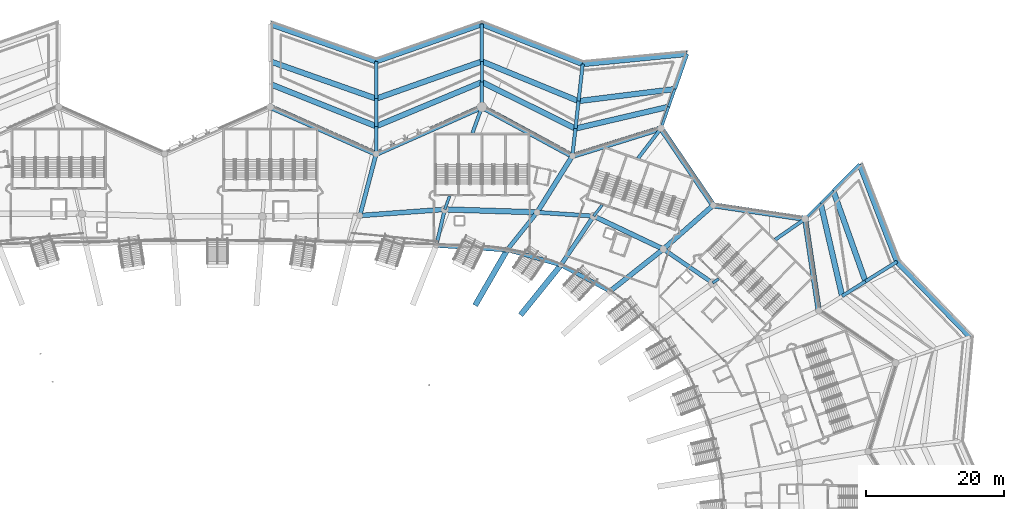
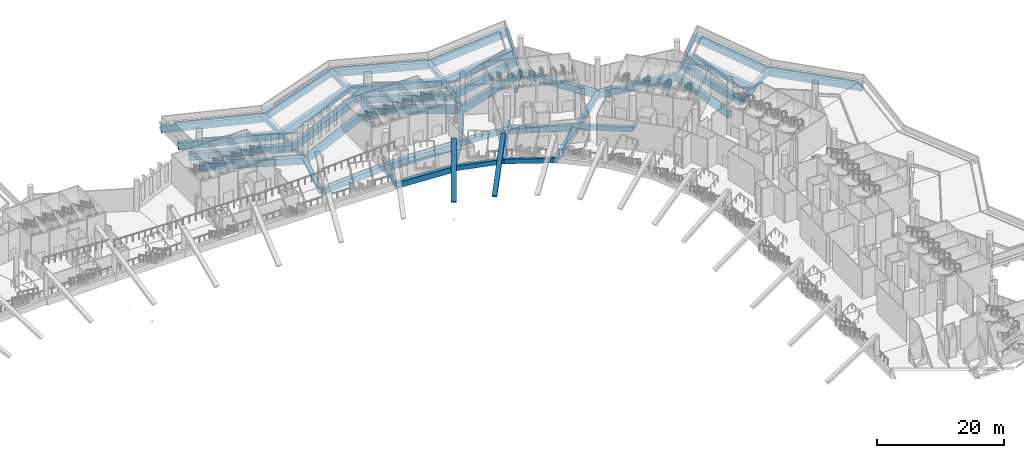
# One storey, part 20 of 173: 63 beams.
"""IFC4 building model written with IfcOpenShell, lengths in metres."""

from ifc_helpers import new_model, si_unit, direction, frame, origin, origin_2d, place, context, subcontext, project, spatial, rectangle, extrude, material, material_profile, profile_set, type_object, element, save


model = new_model("IFC4")

# Units and contexts
model_context = context("Model", 3, precision=1e-05, world=origin(), true_north=direction((0.0, 1.0)))
body_context = subcontext(model_context, "Body", "Model", "MODEL_VIEW")
ifc_project = project(units=[si_unit("LENGTHUNIT", "METRE"), si_unit("AREAUNIT", "SQUARE_METRE"), si_unit("VOLUMEUNIT", "CUBIC_METRE"), si_unit("PLANEANGLEUNIT", "RADIAN"), si_unit("MASSUNIT", "GRAM", prefix="KILO")], contexts=[model_context])

# Site, building, storey
site_placement = place(None, origin())
site = spatial("IfcSite", under=ifc_project, at=site_placement, CompositionType="ELEMENT")
building_placement = place(site_placement, origin())
building = spatial("IfcBuilding", under=site, at=building_placement, Name="Meseta Stadium", CompositionType="ELEMENT")
storey_placement = place(building_placement, frame((0.0, 0.0, 18.0)))
storey = spatial("IfcBuildingStorey", under=building, at=storey_placement, Name="L03", CompositionType="ELEMENT", Elevation=18.0)

# Beams
ifc_material_1 = material(Name="Concrete C40/50", Category="concrete")
ifc_material_profile_1 = material_profile(ifc_material_1, rectangle(XDim=0.39990234375, YDim=0.60009765625, at=origin_2d()), Name="RC 400x600")
ifc_profile_set_1 = profile_set([ifc_material_profile_1], Name="Concrete C40/50")
beam_type_1 = type_object("IfcBeamType", Name="RC beam 400x600", PredefinedType="BEAM", material=ifc_profile_set_1)
beam_1_placement = place(storey_placement, frame((71.775390625, 79.888916015625, -0.64990234375), z_axis=(0.821959126475, 0.569546481337, 0.0), x_axis=(-0.569546481337, 0.821959126475, 0.0)))
element("IfcBeam", 1, at=beam_1_placement, inside=storey, type_object=beam_type_1, Name="L03 radial beam frame 12 line P to R", PredefinedType="BEAM", context=body_context, shape_type="SweptSolid", body=[
    extrude(rectangle(XDim=0.39990234375, YDim=0.60009765625, at=origin_2d()), origin(), (0.0, 0.0, 1.0), 1.05615234375),
])
beam_2_placement = place(storey_placement, frame((54.523193359375, 89.579345703125, -0.64990234375), z_axis=(0.60958282029, 0.792722388486, 0.0), x_axis=(-0.792722388486, 0.60958282029, 0.0)))
element("IfcBeam", 2, at=beam_2_placement, inside=storey, type_object=beam_type_1, Name="L03 radial beam frame 14 line P to R", PredefinedType="BEAM", context=body_context, shape_type="SweptSolid", body=[
    extrude(rectangle(XDim=0.39990234375, YDim=0.60009765625, at=origin_2d()), origin(), (0.0, 0.0, 1.0), 2.029052734375),
])
beam_3_placement = place(storey_placement, frame((32.944091796875, 90.551025390625, -0.64990234375), z_axis=(0.341128443291, 0.940016694095, 0.0), x_axis=(-0.940016694095, 0.341128443291, 0.0)))
element("IfcBeam", 3, at=beam_3_placement, inside=storey, type_object=beam_type_1, Name="L03 radial beam frame 16 line P to R", PredefinedType="BEAM", context=body_context, shape_type="SweptSolid", body=[
    extrude(rectangle(XDim=0.39990234375, YDim=0.60009765625, at=origin_2d()), origin(), (0.0, 0.0, 1.0), 2.0732421875),
])
beam_4_placement = place(storey_placement, frame((85.173583984375, 89.173583984375, -0.699951171875), z_axis=(0.707106781187, 0.707106781187, 0.0), x_axis=(-0.707106781187, 0.707106781187, 0.0)))
element("IfcBeam", 4, at=beam_4_placement, inside=storey, type_object=beam_type_1, Name="L03 radial beam frame 12 line R to M", PredefinedType="BEAM", context=body_context, shape_type="SweptSolid", body=[
    extrude(rectangle(XDim=0.39990234375, YDim=0.60009765625, at=origin_2d()), origin(), (0.0, 0.0, 1.0), 3.18603515625),
])
beam_5_placement = place(storey_placement, frame((87.426513671875, 91.426513671875, -0.699951171875), z_axis=(0.707106781187, 0.707106781187, 0.0), x_axis=(-0.707106781187, 0.707106781187, 0.0)))
element("IfcBeam", 5, at=beam_5_placement, inside=storey, type_object=beam_type_1, Name="L03 radial beam frame 12 line M to Q", PredefinedType="BEAM", context=body_context, shape_type="SweptSolid", body=[
    extrude(rectangle(XDim=0.39990234375, YDim=0.60009765625, at=origin_2d()), origin(), (0.0, 0.0, 1.0), 2.585693359375),
])
beam_6_placement = place(storey_placement, frame((64.297607421875, 102.291015625, -0.699951171875), z_axis=(0.330229180525, 0.943900783096, 0.0), x_axis=(-0.943900783096, 0.330229180525, 0.0)))
element("IfcBeam", 6, at=beam_6_placement, inside=storey, type_object=beam_type_1, Name="L03 radial beam frame 14 line R to M", PredefinedType="BEAM", context=body_context, shape_type="SweptSolid", body=[
    extrude(rectangle(XDim=0.39990234375, YDim=0.60009765625, at=origin_2d()), origin(), (0.0, 0.0, 1.0), 3.31884765625),
])
beam_7_placement = place(storey_placement, frame((65.3935546875, 105.423583984375, -0.699951171875), z_axis=(0.33025443173, 0.943891948436, 0.0), x_axis=(-0.943891948436, 0.33025443173, 0.0)))
element("IfcBeam", 7, at=beam_7_placement, inside=storey, type_object=beam_type_1, Name="L03 radial beam frame 14 line M to Q", PredefinedType="BEAM", context=body_context, shape_type="SweptSolid", body=[
    extrude(rectangle(XDim=0.39990234375, YDim=0.60009765625, at=origin_2d()), origin(), (0.0, 0.0, 1.0), 2.718994140625),
])
beam_8_placement = place(storey_placement, frame((38.333251953125, 109.0, -0.699951171875), z_axis=(0.0, 1.0, 0.0), x_axis=(-1.0, 0.0, 0.0)))
element("IfcBeam", 8, at=beam_8_placement, inside=storey, type_object=beam_type_1, Name="L03 radial beam frame 16 line M to Q", PredefinedType="BEAM", context=body_context, shape_type="SweptSolid", body=[
    extrude(rectangle(XDim=0.39990234375, YDim=0.60009765625, at=origin_2d()), origin(), (0.0, 0.0, 1.0), 3.0),
])
ifc_material_2 = material(Name="Concrete C40/50", Category="concrete")
ifc_material_profile_2 = material_profile(ifc_material_2, rectangle(XDim=0.5, YDim=0.75, at=origin_2d()), Name="RC 500x750")
ifc_profile_set_2 = profile_set([ifc_material_profile_2], Name="Concrete C40/50")
beam_type_2 = type_object("IfcBeamType", Name="RC beam 500x750", PredefinedType="BEAM", material=ifc_profile_set_2)
beam_9_placement = place(storey_placement, frame((80.830078125, 86.16357421875, -0.72509765625), z_axis=(0.821929323184, 0.569589490503, 0.0), x_axis=(-0.569589490503, 0.821929323184, 0.0)))
element("IfcBeam", 9, at=beam_9_placement, inside=storey, type_object=beam_type_2, Name="L03 radial beam frame 12 line P to R", PredefinedType="BEAM", context=body_context, shape_type="SweptSolid", body=[
    extrude(rectangle(XDim=0.5, YDim=0.75, at=origin_2d()), origin(), (0.0, 0.0, 1.0), 5.284423828125),
])
beam_10_placement = place(storey_placement, frame((60.95947265625, 97.949951171875, -0.72509765625), z_axis=(0.609579324643, 0.792725076536, 0.0), x_axis=(-0.792725076536, 0.609579324643, 0.0)))
element("IfcBeam", 10, at=beam_10_placement, inside=storey, type_object=beam_type_2, Name="L03 radial beam frame 14 line P to R", PredefinedType="BEAM", context=body_context, shape_type="SweptSolid", body=[
    extrude(rectangle(XDim=0.5, YDim=0.75, at=origin_2d()), origin(), (0.0, 0.0, 1.0), 5.47607421875),
])
beam_11_placement = place(storey_placement, frame((31.73681640625, 85.376708984375, -0.72509765625), z_axis=(0.22721799518, 0.973843921101, 0.0), x_axis=(-0.973843921101, 0.22721799518, 0.0)))
element("IfcBeam", 11, at=beam_11_placement, inside=storey, type_object=beam_type_2, Name="L03 radial beam frame 16 line E to P", PredefinedType="BEAM", context=body_context, shape_type="SweptSolid", body=[
    extrude(rectangle(XDim=0.5, YDim=0.75, at=origin_2d()), origin(), (0.0, 0.0, 1.0), 5.313232421875),
])
beam_12_placement = place(storey_placement, frame((36.9541015625, 101.60009765625, -0.72509765625), z_axis=(0.341175633366, 0.939999567658, 0.0), x_axis=(-0.939999567658, 0.341175633366, 0.0)))
element("IfcBeam", 12, at=beam_12_placement, inside=storey, type_object=beam_type_2, Name="L03 radial beam frame 16 line P to R", PredefinedType="BEAM", context=body_context, shape_type="SweptSolid", body=[
    extrude(rectangle(XDim=0.5, YDim=0.75, at=origin_2d()), origin(), (0.0, 0.0, 1.0), 4.042236328125),
])
beam_13_placement = place(storey_placement, frame((90.53759765625, 77.98486328125, -0.77490234375), z_axis=(0.846723749582, 0.532032792122, 0.0), x_axis=(-0.532032792122, 0.846723749582, 0.0)))
element("IfcBeam", 13, at=beam_13_placement, inside=storey, type_object=beam_type_2, Name="L03 radial beam frame 11 line M to Q", PredefinedType="BEAM", context=body_context, shape_type="SweptSolid", body=[
    extrude(rectangle(XDim=0.5, YDim=0.75, at=origin_2d()), origin(), (0.0, 0.0, 1.0), 4.0),
])
for number, where, z_axis, x_axis, name in (
    (14, (93.924560546875, 80.113037109375, -0.77490234375), (0.846715692546, 0.532045614582, 0.0), (-0.532045614582, 0.846715692546, 0.0), "L03 radial beam frame 11 line Q to O"),
    (15, (89.2548828125, 93.2548828125, -0.77490234375), (0.707106781187, 0.707106781187, 0.0), (-0.707106781187, 0.707106781187, 0.0), "L03 radial beam frame 12 line Q to O"),
    (16, (66.29150390625, 107.989990234375, -0.77490234375), (0.330312161181, 0.943871747737, 0.0), (-0.943871747737, 0.330312161181, 0.0), "L03 radial beam frame 14 line Q to O"),
):
    element("IfcBeam", number, at=place(storey_placement, frame(where, z_axis=z_axis, x_axis=x_axis)), inside=storey, type_object=beam_type_2, Name=name, PredefinedType="BEAM", context=body_context, shape_type="SweptSolid", body=[
        extrude(rectangle(XDim=0.5, YDim=0.75, at=origin_2d()), origin(), (0.0, 0.0, 1.0), 5.39990234375),
    ])
for number, where, z_axis, x_axis, name in (
    (17, (51.44140625, 98.29443359375, -0.77490234375), (0.111998942203, 0.993708325891, 0.0), (-0.993708325891, 0.111998942203, 0.0), "L03 radial beam frame 15 line R to M"),
    (18, (51.889404296875, 102.269287109375, -0.77490234375), (0.111938672346, 0.993715116939, 0.0), (-0.993715116939, 0.111938672346, 0.0), "L03 radial beam frame 15 line M to Q"),
):
    element("IfcBeam", number, at=place(storey_placement, frame(where, z_axis=z_axis, x_axis=x_axis)), inside=storey, type_object=beam_type_2, Name=name, PredefinedType="BEAM", context=body_context, shape_type="SweptSolid", body=[
        extrude(rectangle(XDim=0.5, YDim=0.75, at=origin_2d()), origin(), (0.0, 0.0, 1.0), 4.0),
    ])
beam_14_placement = place(storey_placement, frame((52.337158203125, 106.244140625, -0.77490234375), z_axis=(0.111989542172, 0.993709385305, 0.0), x_axis=(-0.993709385305, 0.111989542172, 0.0)))
element("IfcBeam", 19, at=beam_14_placement, inside=storey, type_object=beam_type_2, Name="L03 radial beam frame 15 line Q to O", PredefinedType="BEAM", context=body_context, shape_type="SweptSolid", body=[
    extrude(rectangle(XDim=0.5, YDim=0.75, at=origin_2d()), origin(), (0.0, 0.0, 1.0), 5.39990234375),
])
beam_15_placement = place(storey_placement, frame((38.333251953125, 105.39990234375, -0.77490234375), z_axis=(0.0, 1.0, 0.0), x_axis=(-1.0, 0.0, 0.0)))
element("IfcBeam", 20, at=beam_15_placement, inside=storey, type_object=beam_type_2, Name="L03 radial beam frame 16 line R to M", PredefinedType="BEAM", context=body_context, shape_type="SweptSolid", body=[
    extrude(rectangle(XDim=0.5, YDim=0.75, at=origin_2d()), origin(), (0.0, 0.0, 1.0), 3.60009765625),
])
beam_16_placement = place(storey_placement, frame((38.333251953125, 112.0, -0.77490234375), z_axis=(0.0, 1.0, 0.0), x_axis=(-1.0, 0.0, 0.0)))
element("IfcBeam", 21, at=beam_16_placement, inside=storey, type_object=beam_type_2, Name="L03 radial beam frame 16 line Q to O", PredefinedType="BEAM", context=body_context, shape_type="SweptSolid", body=[
    extrude(rectangle(XDim=0.5, YDim=0.75, at=origin_2d()), origin(), (0.0, 0.0, 1.0), 5.39990234375),
])
for number, where, z_axis, x_axis, name in (
    (22, (23.0, 98.60009765625, -0.77490234375), (0.0, 1.0, 0.0), (-1.0, 0.0, 0.0), "L03 radial beam frame 17 line R to M"),
    (23, (23.0, 102.60009765625, -0.77490234375), (0.0, 1.0, 0.0), (-1.0, 0.0, 0.0), "L03 radial beam frame 17 line M to Q"),
):
    element("IfcBeam", number, at=place(storey_placement, frame(where, z_axis=z_axis, x_axis=x_axis)), inside=storey, type_object=beam_type_2, Name=name, PredefinedType="BEAM", context=body_context, shape_type="SweptSolid", body=[
        extrude(rectangle(XDim=0.5, YDim=0.75, at=origin_2d()), origin(), (0.0, 0.0, 1.0), 4.0),
    ])
beam_17_placement = place(storey_placement, frame((23.0, 106.60009765625, -0.77490234375), z_axis=(0.0, 1.0, 0.0), x_axis=(-1.0, 0.0, 0.0)))
element("IfcBeam", 24, at=beam_17_placement, inside=storey, type_object=beam_type_2, Name="L03 radial beam frame 17 line Q to O", PredefinedType="BEAM", context=body_context, shape_type="SweptSolid", body=[
    extrude(rectangle(XDim=0.5, YDim=0.75, at=origin_2d()), origin(), (0.0, 0.0, 1.0), 5.39990234375),
])
ifc_material_3 = material(Name="Concrete C40/50", Category="concrete")
ifc_material_profile_3 = material_profile(ifc_material_3, rectangle(XDim=0.60009765625, YDim=0.89990234375, at=origin_2d()), Name="RC 600x900")
ifc_profile_set_3 = profile_set([ifc_material_profile_3], Name="Concrete C40/50")
beam_type_3 = type_object("IfcBeamType", Name="RC beam 600x900", PredefinedType="BEAM", material=ifc_profile_set_3)
beam_18_placement = place(storey_placement, frame((71.775390625, 79.888916015625, -0.800048828125), z_axis=(-0.824813247637, 0.565405258662, 0.0), x_axis=(-0.565405258662, -0.824813247637, 0.0)))
element("IfcBeam", 25, at=beam_18_placement, inside=storey, type_object=beam_type_3, Name="L03 ring beam frame 12 line P", PredefinedType="BEAM", context=body_context, shape_type="SweptSolid", body=[
    extrude(rectangle(XDim=0.60009765625, YDim=0.89990234375, at=origin_2d()), origin(), (0.0, 0.0, 1.0), 8.672607421875),
])
beam_19_placement = place(storey_placement, frame((56.9150390625, 78.69580078125, -0.800048828125), z_axis=(-0.882172948557, 0.47092556613, 0.0), x_axis=(-0.47092556613, -0.882172948557, 0.0)))
element("IfcBeam", 26, at=beam_19_placement, inside=storey, type_object=beam_type_3, Name="L03 ring beam frame 13 line E", PredefinedType="BEAM", context=body_context, shape_type="SweptSolid", body=[
    extrude(rectangle(XDim=0.60009765625, YDim=0.89990234375, at=origin_2d()), origin(), (0.0, 0.0, 1.0), 8.075439453125),
])
beam_20_placement = place(storey_placement, frame((49.791015625, 82.498779296875, -0.800048828125), z_axis=(-0.961951325549, 0.273220876351, 0.0), x_axis=(-0.273220876351, -0.961951325549, 0.0)))
element("IfcBeam", 27, at=beam_20_placement, inside=storey, type_object=beam_type_3, Name="L03 ring beam frame 14 line E", PredefinedType="BEAM", context=body_context, shape_type="SweptSolid", body=[
    extrude(rectangle(XDim=0.60009765625, YDim=0.89990234375, at=origin_2d()), origin(), (0.0, 0.0, 1.0), 8.083251953125),
])
beam_21_placement = place(storey_placement, frame((54.523193359375, 89.579345703125, -0.800048828125), z_axis=(-0.997778045289, 0.066625613231, 0.0), x_axis=(-0.066625613231, -0.997778045289, 0.0)))
element("IfcBeam", 28, at=beam_21_placement, inside=storey, type_object=beam_type_3, Name="L03 ring beam frame 14 line P", PredefinedType="BEAM", context=body_context, shape_type="SweptSolid", body=[
    extrude(rectangle(XDim=0.60009765625, YDim=0.89990234375, at=origin_2d()), origin(), (0.0, 0.0, 1.0), 8.208251953125),
])
beam_22_placement = place(storey_placement, frame((49.791015625, 82.498779296875, -0.800048828125), z_axis=(0.555659080942, 0.831410239152, 0.0), x_axis=(-0.831410239152, 0.555659080942, 0.0)))
element("IfcBeam", 29, at=beam_22_placement, inside=storey, type_object=beam_type_3, Name="L03 radial beam frame 14 line E to P", PredefinedType="BEAM", context=body_context, shape_type="SweptSolid", body=[
    extrude(rectangle(XDim=0.60009765625, YDim=0.89990234375, at=origin_2d()), origin(), (0.0, 0.0, 1.0), 8.516357421875),
])
beam_23_placement = place(storey_placement, frame((42.015380859375, 84.707275390625, -0.800048828125), z_axis=(0.623172725644, 0.782084237159, 0.0), x_axis=(-0.782084237159, 0.623172725644, 0.0)))
element("IfcBeam", 30, at=beam_23_placement, inside=storey, type_object=beam_type_3, Name="L03 radial beam frame 15 line E to P", PredefinedType="BEAM", context=body_context, shape_type="SweptSolid", body=[
    extrude(rectangle(XDim=0.60009765625, YDim=0.89990234375, at=origin_2d()), origin(), (0.0, 0.0, 1.0), 6.928955078125),
])
beam_24_placement = place(storey_placement, frame((20.649658203125, 89.65625, -0.800048828125), z_axis=(0.254159308712, 0.967162367855, 0.0), x_axis=(-0.967162367855, 0.254159308712, 0.0)))
element("IfcBeam", 31, at=beam_24_placement, inside=storey, type_object=beam_type_3, Name="L03 radial beam frame 17 line P to R", PredefinedType="BEAM", context=body_context, shape_type="SweptSolid", body=[
    extrude(rectangle(XDim=0.60009765625, YDim=0.89990234375, at=origin_2d()), origin(), (0.0, 0.0, 1.0), 9.24755859375),
])
ifc_material_4 = material(Name="Concrete C40/50", Category="concrete")
ifc_material_profile_4 = material_profile(ifc_material_4, rectangle(XDim=0.699951171875, YDim=1.10009765625, at=origin_2d()), Name="RC 700x1100")
ifc_profile_set_4 = profile_set([ifc_material_profile_4], Name="Concrete C40/50")
beam_type_4 = type_object("IfcBeamType", Name="RC beam 700x1100", PredefinedType="BEAM", material=ifc_profile_set_4)
beam_25_placement = place(storey_placement, frame((64.6220703125, 84.79248046875, -0.89990234375), z_axis=(-0.903627495473, 0.428319214402, 0.0), x_axis=(-0.428319214402, -0.903627495473, 0.0)))
element("IfcBeam", 32, at=beam_25_placement, inside=storey, type_object=beam_type_4, Name="L03 ring beam frame 13 line P", PredefinedType="BEAM", context=body_context, shape_type="SweptSolid", body=[
    extrude(rectangle(XDim=0.699951171875, YDim=1.10009765625, at=origin_2d()), origin(), (0.0, 0.0, 1.0), 11.176025390625),
])
beam_26_placement = place(storey_placement, frame((42.015380859375, 84.707275390625, -0.89990234375), z_axis=(-0.997885824096, 0.064991399959, 0.0), x_axis=(-0.064991399959, -0.997885824096, 0.0)))
element("IfcBeam", 33, at=beam_26_placement, inside=storey, type_object=beam_type_4, Name="L03 ring beam frame 15 line E", PredefinedType="BEAM", context=body_context, shape_type="SweptSolid", body=[
    extrude(rectangle(XDim=0.699951171875, YDim=1.10009765625, at=origin_2d()), origin(), (0.0, 0.0, 1.0), 10.30029296875),
])
beam_27_placement = place(storey_placement, frame((32.944091796875, 90.551025390625, -0.89990234375), z_axis=(-0.99736209032, -0.072586918881, 0.0), x_axis=(0.072586918881, -0.99736209032, 0.0)))
element("IfcBeam", 34, at=beam_27_placement, inside=storey, type_object=beam_type_4, Name="L03 ring beam frame 16 line P", PredefinedType="BEAM", context=body_context, shape_type="SweptSolid", body=[
    extrude(rectangle(XDim=0.699951171875, YDim=1.10009765625, at=origin_2d()), origin(), (0.0, 0.0, 1.0), 12.326904296875),
])
beam_28_placement = place(storey_placement, frame((56.9150390625, 78.69580078125, -0.89990234375), z_axis=(0.784279521113, 0.620407634352, 0.0), x_axis=(-0.620407634352, 0.784279521113, 0.0)))
element("IfcBeam", 35, at=beam_28_placement, inside=storey, type_object=beam_type_4, Name="L03 radial beam frame 13 line E to P", PredefinedType="BEAM", context=body_context, shape_type="SweptSolid", body=[
    extrude(rectangle(XDim=0.699951171875, YDim=1.10009765625, at=origin_2d()), origin(), (0.0, 0.0, 1.0), 9.826904296875),
])
beam_29_placement = place(storey_placement, frame((64.6220703125, 84.79248046875, -0.89990234375), z_axis=(0.751128714449, 0.66015578035, 0.0), x_axis=(-0.66015578035, 0.751128714449, 0.0)))
element("IfcBeam", 36, at=beam_29_placement, inside=storey, type_object=beam_type_4, Name="L03 radial beam frame 13 line P to R", PredefinedType="BEAM", context=body_context, shape_type="SweptSolid", body=[
    extrude(rectangle(XDim=0.699951171875, YDim=1.10009765625, at=origin_2d()), origin(), (0.0, 0.0, 1.0), 9.631591796875),
])
beam_30_placement = place(storey_placement, frame((46.333251953125, 90.126220703125, -0.89990234375), z_axis=(0.530224433937, 0.847857328597, 0.0), x_axis=(-0.847857328597, 0.530224433937, 0.0)))
element("IfcBeam", 37, at=beam_30_placement, inside=storey, type_object=beam_type_4, Name="L03 radial beam frame 15 line P to R", PredefinedType="BEAM", context=body_context, shape_type="SweptSolid", body=[
    extrude(rectangle(XDim=0.699951171875, YDim=1.10009765625, at=origin_2d()), origin(), (0.0, 0.0, 1.0), 9.634033203125),
])
ifc_material_5 = material(Name="Concrete C40/50", Category="concrete")
ifc_material_profile_5 = material_profile(ifc_material_5, rectangle(XDim=0.800048828125, YDim=1.300048828125, at=origin_2d()), Name="RC 800x1300")
ifc_profile_set_5 = profile_set([ifc_material_profile_5], Name="Concrete C40/50")
beam_type_5 = type_object("IfcBeamType", Name="RC beam 800x1300", PredefinedType="BEAM", material=ifc_profile_set_5)
for number, where, z_axis, x_axis, name in (
    (38, (87.15087890625, 75.856689453125, -1.0), (-0.146870032835, 0.989155798373, 0.0), (-0.989155798373, -0.146870032835, 0.0), "L03 ring beam frame 11 line R"),
    (39, (85.173583984375, 89.173583984375, -1.0), (-0.989155798373, 0.146870032835, 0.0), (-0.146870032835, -0.989155798373, 0.0), "L03 ring beam frame 12 line R"),
):
    element("IfcBeam", number, at=place(storey_placement, frame(where, z_axis=z_axis, x_axis=x_axis)), inside=storey, type_object=beam_type_5, Name=name, PredefinedType="BEAM", context=body_context, shape_type="SweptSolid", body=[
        extrude(rectangle(XDim=0.800048828125, YDim=1.300048828125, at=origin_2d()), origin(), (0.0, 0.0, 1.0), 13.462890625),
    ])
beam_31_placement = place(storey_placement, frame((71.856689453125, 91.15087890625, -1.0), z_axis=(-0.561486340317, 0.827486005705, 0.0), x_axis=(-0.827486005705, -0.561486340317, 0.0)))
element("IfcBeam", 40, at=beam_31_placement, inside=storey, type_object=beam_type_5, Name="L03 ring beam frame 13 line R", PredefinedType="BEAM", context=body_context, shape_type="SweptSolid", body=[
    extrude(rectangle(XDim=0.800048828125, YDim=1.300048828125, at=origin_2d()), origin(), (0.0, 0.0, 1.0), 13.462646484375),
])
beam_32_placement = place(storey_placement, frame((64.297607421875, 102.291015625, -1.0), z_axis=(-0.954922594045, -0.296854913016, 0.0), x_axis=(0.296854913016, -0.954922594045, 0.0)))
element("IfcBeam", 41, at=beam_32_placement, inside=storey, type_object=beam_type_5, Name="L03 ring beam frame 14 line R", PredefinedType="BEAM", context=body_context, shape_type="SweptSolid", body=[
    extrude(rectangle(XDim=0.800048828125, YDim=1.300048828125, at=origin_2d()), origin(), (0.0, 0.0, 1.0), 13.463134765625),
])
beam_33_placement = place(storey_placement, frame((46.333251953125, 90.126220703125, -1.0), z_axis=(-0.999497062289, 0.031711551154, 0.0), x_axis=(-0.031711551154, -0.999497062289, 0.0)))
element("IfcBeam", 42, at=beam_33_placement, inside=storey, type_object=beam_type_5, Name="L03 ring beam frame 15 line P", PredefinedType="BEAM", context=body_context, shape_type="SweptSolid", body=[
    extrude(rectangle(XDim=0.800048828125, YDim=1.300048828125, at=origin_2d()), origin(), (0.0, 0.0, 1.0), 13.39599609375),
])
beam_34_placement = place(storey_placement, frame((51.44140625, 98.29443359375, -1.0), z_axis=(-0.879145348638, 0.476553728311, 0.0), x_axis=(-0.476553728311, -0.879145348638, 0.0)))
element("IfcBeam", 43, at=beam_34_placement, inside=storey, type_object=beam_type_5, Name="L03 ring beam frame 15 line R", PredefinedType="BEAM", context=body_context, shape_type="SweptSolid", body=[
    extrude(rectangle(XDim=0.800048828125, YDim=1.300048828125, at=origin_2d()), origin(), (0.0, 0.0, 1.0), 14.91015625),
])
for number, where, z_axis, x_axis, name in (
    (44, (38.333251953125, 105.39990234375, -1.0), (-0.914142564088, -0.405392861953, 0.0), (0.405392861953, -0.914142564088, 0.0), "L03 ring beam frame 16 line R"),
    (45, (23.0, 98.60009765625, -1.0), (-0.914142564088, 0.405392861953, 0.0), (-0.405392861953, -0.914142564088, 0.0), "L03 ring beam frame 17 line R"),
):
    element("IfcBeam", number, at=place(storey_placement, frame(where, z_axis=z_axis, x_axis=x_axis)), inside=storey, type_object=beam_type_5, Name=name, PredefinedType="BEAM", context=body_context, shape_type="SweptSolid", body=[
        extrude(rectangle(XDim=0.800048828125, YDim=1.300048828125, at=origin_2d()), origin(), (0.0, 0.0, 1.0), 16.7734375),
    ])
beam_35_placement = place(storey_placement, frame((109.0869140625, 72.0751953125, -1.050048828125), z_axis=(-0.696479024719, 0.717577151341, 0.0), x_axis=(-0.717577151341, -0.696479024719, 0.0)))
element("IfcBeam", 46, at=beam_35_placement, inside=storey, type_object=beam_type_5, Name="L03 ring beam frame 10 line O", PredefinedType="BEAM", context=body_context, shape_type="SweptSolid", body=[
    extrude(rectangle(XDim=0.800048828125, YDim=1.300048828125, at=origin_2d()), origin(), (0.0, 0.0, 1.0), 15.205078125),
])
beam_36_placement = place(storey_placement, frame((90.53759765625, 77.98486328125, -1.050048828125), z_axis=(-0.225490125016, 0.974245453426, 0.0), x_axis=(-0.974245453426, -0.225490125016, 0.0)))
element("IfcBeam", 47, at=beam_36_placement, inside=storey, type_object=beam_type_5, Name="L03 ring beam frame 11 line M", PredefinedType="BEAM", context=body_context, shape_type="SweptSolid", body=[
    extrude(rectangle(XDim=0.800048828125, YDim=1.300048828125, at=origin_2d()), origin(), (0.0, 0.0, 1.0), 13.796875),
])
beam_37_placement = place(storey_placement, frame((93.924560546875, 80.113037109375, -1.050048828125), z_axis=(-0.334820067045, 0.942282082343, 0.0), x_axis=(-0.942282082343, -0.334820067045, 0.0)))
element("IfcBeam", 48, at=beam_37_placement, inside=storey, type_object=beam_type_5, Name="L03 ring beam frame 11 line Q", PredefinedType="BEAM", context=body_context, shape_type="SweptSolid", body=[
    extrude(rectangle(XDim=0.800048828125, YDim=1.300048828125, at=origin_2d()), origin(), (0.0, 0.0, 1.0), 13.94677734375),
])
beam_38_placement = place(storey_placement, frame((98.496826171875, 82.986083984375, -1.050048828125), z_axis=(-0.359293357588, 0.933224669195, 0.0), x_axis=(-0.933224669195, -0.359293357588, 0.0)))
element("IfcBeam", 49, at=beam_38_placement, inside=storey, type_object=beam_type_5, Name="L03 ring beam frame 11 line O", PredefinedType="BEAM", context=body_context, shape_type="SweptSolid", body=[
    extrude(rectangle(XDim=0.800048828125, YDim=1.300048828125, at=origin_2d()), origin(), (0.0, 0.0, 1.0), 15.09521484375),
])
beam_39_placement = place(storey_placement, frame((65.3935546875, 105.423583984375, -1.050048828125), z_axis=(-0.973788071175, -0.227457232108, 0.0), x_axis=(0.227457232108, -0.973788071175, 0.0)))
element("IfcBeam", 50, at=beam_39_placement, inside=storey, type_object=beam_type_5, Name="L03 ring beam frame 14 line M", PredefinedType="BEAM", context=body_context, shape_type="SweptSolid", body=[
    extrude(rectangle(XDim=0.800048828125, YDim=1.300048828125, at=origin_2d()), origin(), (0.0, 0.0, 1.0), 13.86767578125),
])
beam_40_placement = place(storey_placement, frame((66.29150390625, 107.989990234375, -1.050048828125), z_axis=(-0.99226424955, -0.124143703283, 0.0), x_axis=(0.124143703283, -0.99226424955, 0.0)))
element("IfcBeam", 51, at=beam_40_placement, inside=storey, type_object=beam_type_5, Name="L03 ring beam frame 14 line Q", PredefinedType="BEAM", context=body_context, shape_type="SweptSolid", body=[
    extrude(rectangle(XDim=0.800048828125, YDim=1.300048828125, at=origin_2d()), origin(), (0.0, 0.0, 1.0), 14.063232421875),
])
beam_41_placement = place(storey_placement, frame((68.0751953125, 113.0869140625, -1.050048828125), z_axis=(-0.99527217358, -0.097125179524, 0.0), x_axis=(0.097125179524, -0.99527217358, 0.0)))
element("IfcBeam", 52, at=beam_41_placement, inside=storey, type_object=beam_type_5, Name="L03 ring beam frame 14 line O", PredefinedType="BEAM", context=body_context, shape_type="SweptSolid", body=[
    extrude(rectangle(XDim=0.800048828125, YDim=1.300048828125, at=origin_2d()), origin(), (0.0, 0.0, 1.0), 15.205078125),
])
beam_42_placement = place(storey_placement, frame((51.889404296875, 102.269287109375, -1.050048828125), z_axis=(-0.895675432746, 0.444708352941, 0.0), x_axis=(-0.444708352941, -0.895675432746, 0.0)))
element("IfcBeam", 53, at=beam_42_placement, inside=storey, type_object=beam_type_5, Name="L03 ring beam frame 15 line M", PredefinedType="BEAM", context=body_context, shape_type="SweptSolid", body=[
    extrude(rectangle(XDim=0.800048828125, YDim=1.300048828125, at=origin_2d()), origin(), (0.0, 0.0, 1.0), 15.135009765625),
])
beam_43_placement = place(storey_placement, frame((52.337158203125, 106.244140625, -1.050048828125), z_axis=(-0.924921023006, 0.380159310293, 0.0), x_axis=(-0.380159310293, -0.924921023006, 0.0)))
element("IfcBeam", 54, at=beam_43_placement, inside=storey, type_object=beam_type_5, Name="L03 ring beam frame 15 line Q", PredefinedType="BEAM", context=body_context, shape_type="SweptSolid", body=[
    extrude(rectangle(XDim=0.800048828125, YDim=1.300048828125, at=origin_2d()), origin(), (0.0, 0.0, 1.0), 15.140625),
])
beam_44_placement = place(storey_placement, frame((52.94189453125, 111.610107421875, -1.050048828125), z_axis=(-0.929649573326, 0.368444935933, 0.0), x_axis=(-0.368444935933, -0.929649573326, 0.0)))
element("IfcBeam", 55, at=beam_44_placement, inside=storey, type_object=beam_type_5, Name="L03 ring beam frame 15 line O", PredefinedType="BEAM", context=body_context, shape_type="SweptSolid", body=[
    extrude(rectangle(XDim=0.800048828125, YDim=1.300048828125, at=origin_2d()), origin(), (0.0, 0.0, 1.0), 15.714111328125),
])
beam_45_placement = place(storey_placement, frame((38.333251953125, 109.0, -1.050048828125), z_axis=(-0.922840692895, -0.385181847362, 0.0), x_axis=(0.385181847362, -0.922840692895, 0.0)))
element("IfcBeam", 56, at=beam_45_placement, inside=storey, type_object=beam_type_5, Name="L03 ring beam frame 16 line M", PredefinedType="BEAM", context=body_context, shape_type="SweptSolid", body=[
    extrude(rectangle(XDim=0.800048828125, YDim=1.300048828125, at=origin_2d()), origin(), (0.0, 0.0, 1.0), 16.615234375),
])
for number, where, z_axis, x_axis, name in (
    (57, (38.333251953125, 112.0, -1.050048828125), (-0.943218573019, -0.332172731439, 0.0), (0.332172731439, -0.943218573019, 0.0), "L03 ring beam frame 16 line Q"),
    (58, (38.333251953125, 117.39990234375, -1.050048828125), (-0.943218573019, -0.332172731439, 0.0), (0.332172731439, -0.943218573019, 0.0), "L03 ring beam frame 16 line O"),
):
    element("IfcBeam", number, at=place(storey_placement, frame(where, z_axis=z_axis, x_axis=x_axis)), inside=storey, type_object=beam_type_5, Name=name, PredefinedType="BEAM", context=body_context, shape_type="SweptSolid", body=[
        extrude(rectangle(XDim=0.800048828125, YDim=1.300048828125, at=origin_2d()), origin(), (0.0, 0.0, 1.0), 16.25634765625),
    ])
beam_46_placement = place(storey_placement, frame((23.0, 102.60009765625, -1.050048828125), z_axis=(-0.929173963419, 0.369642727108, 0.0), x_axis=(-0.369642727108, -0.929173963419, 0.0)))
element("IfcBeam", 59, at=beam_46_placement, inside=storey, type_object=beam_type_5, Name="L03 ring beam frame 17 line M", PredefinedType="BEAM", context=body_context, shape_type="SweptSolid", body=[
    extrude(rectangle(XDim=0.800048828125, YDim=1.300048828125, at=origin_2d()), origin(), (0.0, 0.0, 1.0), 16.501953125),
])
for number, where, z_axis, x_axis, name in (
    (60, (23.0, 106.60009765625, -1.050048828125), (-0.943218573019, 0.332172731439, 0.0), (-0.332172731439, -0.943218573019, 0.0), "L03 ring beam frame 17 line Q"),
    (61, (23.0, 112.0, -1.050048828125), (-0.943218573019, 0.332172731439, 0.0), (-0.332172731439, -0.943218573019, 0.0), "L03 ring beam frame 17 line O"),
):
    element("IfcBeam", number, at=place(storey_placement, frame(where, z_axis=z_axis, x_axis=x_axis)), inside=storey, type_object=beam_type_5, Name=name, PredefinedType="BEAM", context=body_context, shape_type="SweptSolid", body=[
        extrude(rectangle(XDim=0.800048828125, YDim=1.300048828125, at=origin_2d()), origin(), (0.0, 0.0, 1.0), 16.25634765625),
    ])
ifc_material_6 = material(Name="Concrete C40/50", Category="concrete")
ifc_material_profile_6 = material_profile(ifc_material_6, rectangle(XDim=0.800048828125, YDim=0.449951171875, at=origin_2d()), Name="RC 800x450")
ifc_profile_set_6 = profile_set([ifc_material_profile_6], Name="Concrete C40/50")
beam_type_6 = type_object("IfcBeamType", Name="RC raker upper rear 800x450", PredefinedType="USERDEFINED", material=ifc_profile_set_6)
beam_47_placement = place(storey_placement, frame((44.01318359375, 75.339599609375, -1.3212890625), z_axis=(0.532996151365, 0.66042335598, 0.528919742027), x_axis=(-0.778184591749, 0.628035620936, 0.0)))
element("IfcBeam", 62, at=beam_47_placement, inside=storey, type_object=beam_type_6, Name="Raker upper rear frame 14 upper tier", ObjectType="RAKER", PredefinedType="USERDEFINED", context=body_context, shape_type="SweptSolid", body=[
    extrude(rectangle(XDim=0.800048828125, YDim=0.449951171875, at=origin_2d()), origin(), (0.0, 0.0, 1.0), 10.84033203125),
])
beam_48_placement = place(storey_placement, frame((37.41162109375, 76.7421875, -0.91259765625), z_axis=(0.424649252816, 0.734697028855, 0.529049419123), x_axis=(-0.865784594888, 0.500416861481, 0.0)))
element("IfcBeam", 63, at=beam_48_placement, inside=storey, type_object=beam_type_6, Name="Raker upper rear frame 15 upper tier", ObjectType="RAKER", PredefinedType="USERDEFINED", context=body_context, shape_type="SweptSolid", body=[
    extrude(rectangle(XDim=0.800048828125, YDim=0.449951171875, at=origin_2d()), origin(), (0.0, 0.0, 1.0), 10.84130859375),
])

save(model, "model.ifc")
